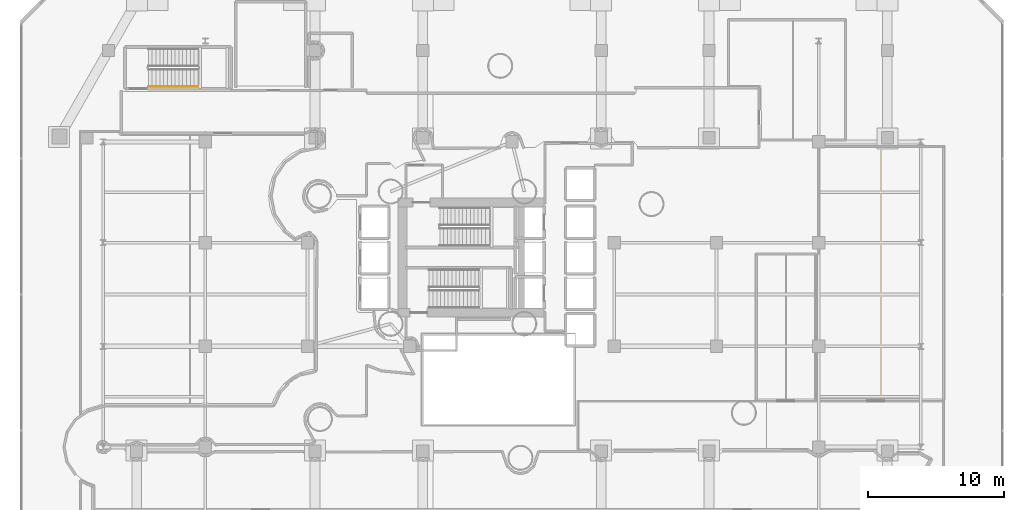
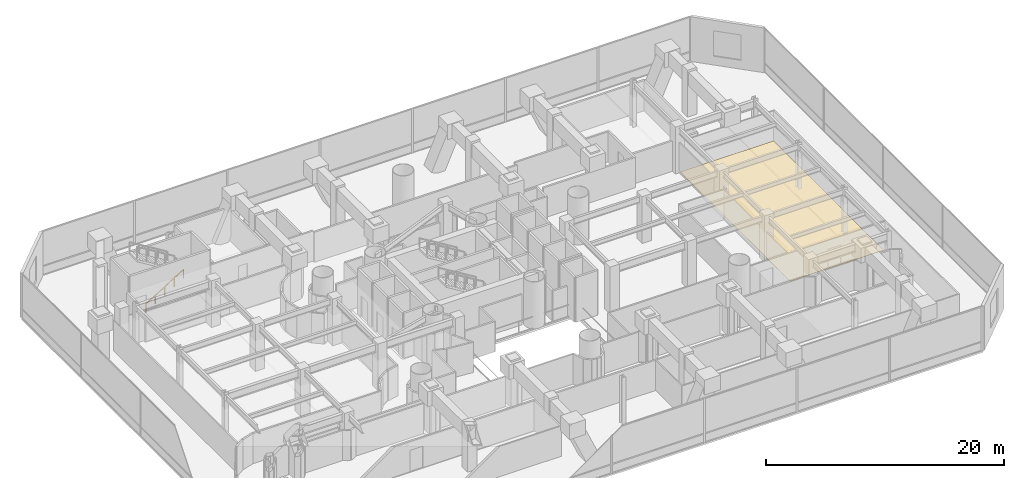
# One storey, part 43 of 45: 1 covering, 1 railing.
"""IFC4 building model written with IfcOpenShell, lengths in metres."""

from ifc_helpers import new_model, si_unit, direction, frame, origin, origin_2d, place, context, subcontext, project, spatial, polyline, rectangle, outline, extrude, material, layer, layer_set, type_object, element, save


model = new_model("IFC4")

# Units and contexts
model_context = context("Model", 3, precision=1e-05, world=origin(), true_north=direction((0.0, 1.0)))
body_context = subcontext(model_context, "Body", "Model", "MODEL_VIEW")
ifc_project = project(units=[si_unit("LENGTHUNIT", "METRE"), si_unit("AREAUNIT", "SQUARE_METRE"), si_unit("VOLUMEUNIT", "CUBIC_METRE"), si_unit("PLANEANGLEUNIT", "RADIAN"), si_unit("MASSUNIT", "GRAM", prefix="KILO")], contexts=[model_context])

# Site, building, storey
site_placement = place(None, origin())
site = spatial("IfcSite", under=ifc_project, at=site_placement, CompositionType="ELEMENT")
building_placement = place(site_placement, origin())
building = spatial("IfcBuilding", under=site, at=building_placement, Name="Qianvela Tower", CompositionType="ELEMENT")
storey_placement = place(building_placement, frame((0.0, 0.0, 11.0)))
storey = spatial("IfcBuildingStorey", under=building, at=storey_placement, Name="L02", CompositionType="ELEMENT", Elevation=11.0)

# Covering
ifc_material_1 = material(Name="Engineered Acoustic Oak Timber Flooring", Category="wood")
ifc_layer = layer(ifc_material_1, 0.02001953125)
ifc_layer_set = layer_set([ifc_layer], Name="Engineered Acoustic Oak Timber Flooring")
covering_type = type_object("IfcCoveringType", Name="COV-FLOOR-OAK-20", PredefinedType="FLOORING", material=ifc_layer_set)
covering_placement = place(storey_placement, origin())
element("IfcCovering", 1, at=covering_placement, inside=storey, type_object=covering_type, Name="L02 Finish Flooring L02 Digital Research Office East", PredefinedType="FLOORING", context=body_context, shape_type="SweptSolid", body=[
    extrude(outline(polyline([(69.1201171875, 18.342041015625), (60.030029296875, 18.342041015625), (60.030029296875, 36.820068359375), (69.1201171875, 36.820068359375), (69.1201171875, 18.342041015625)])), origin(), (0.0, 0.0, 1.0), 0.02001953125),
])

# Railing
ifc_material_2 = material(Name="Brushed Stainless Steel 304", Category="steel")
railing_type = type_object("IfcRailingType", Name="RL-STAIR-HANDRAIL-900", PredefinedType="HANDRAIL", material=ifc_material_2)
railing_placement = place(storey_placement, frame((10.820068359375, 41.25, 0.17138671875)))
element("IfcRailing", 2, at=railing_placement, inside=storey, type_object=railing_type, Name="L02 ST-3 stair handrail 1", PredefinedType="HANDRAIL", context=body_context, shape_type="SweptSolid", body=[
    extrude(rectangle(XDim=0.050048828125, YDim=0.0400390625, at=origin_2d()), frame((0.0, 0.0, 0.8798828125), z_axis=(0.852850264322, 0.0, 0.5221555579), x_axis=(0.0, 1.0, 0.0)), (0.0, 0.0, 1.0), 4.267822265625),
    extrude(rectangle(XDim=0.050048828125, YDim=0.050048828125, at=origin_2d()), origin(), (0.0, 0.0, 1.0), 0.85986328125),
    extrude(rectangle(XDim=0.050048828125, YDim=0.050048828125, at=origin_2d()), frame((0.909912109375, 0.0, 0.55712890625)), (0.0, 0.0, 1.0), 0.85986328125),
    extrude(rectangle(XDim=0.050048828125, YDim=0.050048828125, at=origin_2d()), frame((1.81982421875, 0.0, 1.1142578125)), (0.0, 0.0, 1.0), 0.85986328125),
    extrude(rectangle(XDim=0.050048828125, YDim=0.050048828125, at=origin_2d()), frame((2.72998046875, 0.0, 1.67138671875)), (0.0, 0.0, 1.0), 0.85986328125),
    extrude(rectangle(XDim=0.050048828125, YDim=0.050048828125, at=origin_2d()), frame((3.639892578125, 0.0, 2.228515625)), (0.0, 0.0, 1.0), 0.85986328125),
])

save(model, "model.ifc")
